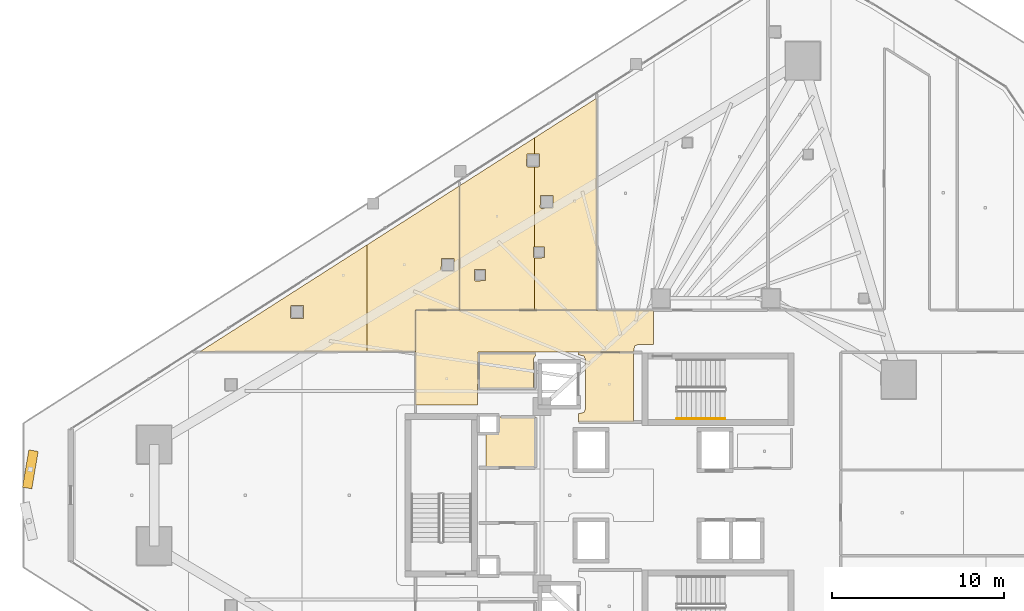
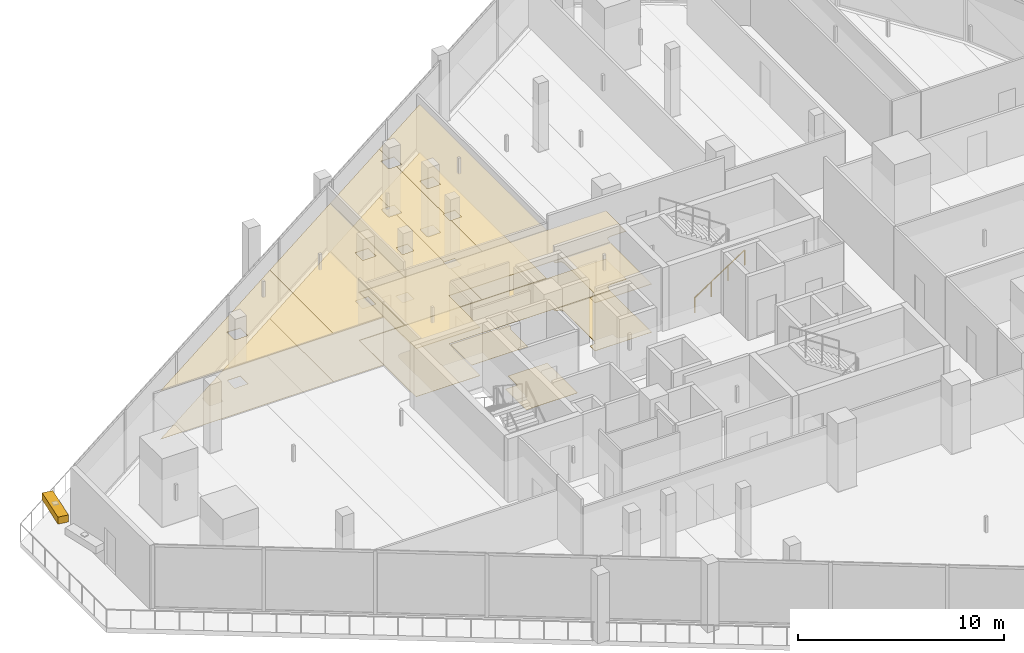
# One storey, part 40 of 42: 14 coverings, 1 railing, 1 shading device.
"""IFC4 building model written with IfcOpenShell, lengths in metres."""

from ifc_helpers import new_model, si_unit, direction, frame, origin, origin_2d, place, context, subcontext, project, spatial, polyline, rectangle, circle, outline, extrude, material, layer, layer_set, type_object, element, save


model = new_model("IFC4")

# Units and contexts
model_context = context("Model", 3, precision=1e-05, world=origin(), true_north=direction((0.0, 1.0)))
body_context = subcontext(model_context, "Body", "Model", "MODEL_VIEW")
ifc_project = project(units=[si_unit("LENGTHUNIT", "METRE"), si_unit("AREAUNIT", "SQUARE_METRE"), si_unit("VOLUMEUNIT", "CUBIC_METRE"), si_unit("PLANEANGLEUNIT", "RADIAN"), si_unit("MASSUNIT", "GRAM", prefix="KILO")], contexts=[model_context])

# Site, building, storey
site_placement = place(None, origin())
site = spatial("IfcSite", under=ifc_project, at=site_placement, CompositionType="ELEMENT")
building_placement = place(site_placement, origin())
building = spatial("IfcBuilding", under=site, at=building_placement, Name="Qorvath Tower", CompositionType="ELEMENT")
storey_placement = place(building_placement, frame((0.0, 0.0, 121.949951171875)))
storey = spatial("IfcBuildingStorey", under=building, at=storey_placement, Name="L27", CompositionType="ELEMENT", Elevation=121.949951171875)

# Coverings
ifc_material_1 = material(Name="Acoustic mineral fibre ceiling tile", Category="gypsum")
ifc_layer_1 = layer(ifc_material_1, 0.030029296875)
ifc_layer_set_1 = layer_set([ifc_layer_1], Name="COV-CEIL")
covering_type_1 = type_object("IfcCoveringType", Name="COV-CEIL", PredefinedType="CEILING", material=ifc_layer_set_1)
covering_1_placement = place(storey_placement, frame((0.0, 0.0, 2.85009765625)))
element("IfcCovering", 1, at=covering_1_placement, inside=storey, type_object=covering_type_1, Name="L27 Suspended Acoustic Ceiling 001", PredefinedType="CEILING", context=body_context, shape_type="SweptSolid", body=[
    extrude(outline(polyline([(-25.18994140625, 4.2548828125), (-25.18994140625, 8.294921875), (-28.375, 8.294921875), (-28.375, 8.159912109375), (-28.063232421875, 8.086669921875), (-27.989990234375, 7.909912109375), (-27.989990234375, 4.989990234375), (-28.063232421875, 4.813232421875), (-28.375, 4.739990234375), (-28.375, 4.2548828125), (-25.18994140625, 4.2548828125)])), origin(), (0.0, 0.0, 1.0), 0.030029296875),
])
covering_2_placement = place(storey_placement, frame((0.0, 0.0, 2.85009765625)))
element("IfcCovering", 2, at=covering_2_placement, inside=storey, type_object=covering_type_1, Name="L27 Suspended Acoustic Ceiling 009", PredefinedType="CEILING", context=body_context, shape_type="SweptSolid", body=[
    extrude(outline(polyline([(-24.02001953125, 8.75), (-24.02001953125, 10.745849609375), (-37.844970703125, 10.7451171875), (-37.844970703125, 5.239990234375), (-34.2509765625, 5.239990234375), (-34.219970703125, 8.324951171875), (-25.18994140625, 8.324951171875), (-25.11669921875, 8.6767578125), (-24.93994140625, 8.75), (-24.02001953125, 8.75)])), origin(), (0.0, 0.0, 1.0), 0.030029296875),
])
covering_3_placement = place(storey_placement, frame((0.0, 0.0, 2.85009765625)))
element("IfcCovering", 3, at=covering_3_placement, inside=storey, type_object=covering_type_1, Name="L27 Suspended Acoustic Ceiling 011", PredefinedType="CEILING", context=body_context, shape_type="SweptSolid", body=[
    extrude(outline(polyline([(-40.68505859375, 8.3515625), (-40.68505859375, 14.541748046875), (-50.389404296875, 8.339599609375), (-40.68505859375, 8.3515625)]), holes=[polyline([(-45.121337890625, 10.327392578125), (-45.103759765625, 11.019775390625), (-44.368896484375, 11.019775390625), (-44.368896484375, 10.284912109375), (-45.061279296875, 10.267333984375), (-45.121337890625, 10.327392578125)])]), origin(), (0.0, 0.0, 1.0), 0.030029296875),
])
covering_4_placement = place(storey_placement, frame((0.0, 0.0, 2.85009765625)))
element("IfcCovering", 4, at=covering_4_placement, inside=storey, type_object=covering_type_1, Name="L27 Suspended Acoustic Ceiling 012", PredefinedType="CEILING", context=body_context, shape_type="SweptSolid", body=[
    extrude(outline(polyline([(-35.303955078125, 17.98095703125), (-40.68505859375, 14.541748046875), (-40.68505859375, 8.3515625), (-37.863037109375, 8.35498046875), (-37.861572265625, 10.761474609375), (-35.303955078125, 10.762939453125), (-35.303955078125, 17.98095703125)]), holes=[polyline([(-36.36572265625, 13.055908203125), (-36.34814453125, 13.748291015625), (-35.61328125, 13.748291015625), (-35.61328125, 13.013427734375), (-36.3056640625, 12.995849609375), (-36.36572265625, 13.055908203125)])]), origin(), (0.0, 0.0, 1.0), 0.030029296875),
])
covering_5_placement = place(storey_placement, frame((0.0, 0.0, 2.85009765625)))
element("IfcCovering", 5, at=covering_5_placement, inside=storey, type_object=covering_type_1, Name="L27 Suspended Acoustic Ceiling 013", PredefinedType="CEILING", context=body_context, shape_type="SweptSolid", body=[
    extrude(outline(polyline([(-35.285888671875, 10.762939453125), (-30.950927734375, 10.762939453125), (-30.950927734375, 13.789306640625), (-31.01220703125, 13.849365234375), (-30.99462890625, 14.441650390625), (-30.950927734375, 14.441650390625), (-30.950927734375, 19.085205078125), (-31.341064453125, 19.075439453125), (-31.401123046875, 19.135498046875), (-31.383544921875, 19.827880859375), (-30.950927734375, 19.827880859375), (-30.950927734375, 20.762939453125), (-35.285888671875, 17.992431640625), (-35.285888671875, 10.762939453125)]), holes=[polyline([(-34.439208984375, 12.517578125), (-34.421630859375, 13.10986328125), (-33.786865234375, 13.10986328125), (-33.786865234375, 12.47509765625), (-34.379150390625, 12.45751953125), (-34.439208984375, 12.517578125)])]), origin(), (0.0, 0.0, 1.0), 0.030029296875),
])
covering_6_placement = place(storey_placement, frame((0.0, 0.0, 2.85009765625)))
element("IfcCovering", 6, at=covering_6_placement, inside=storey, type_object=covering_type_1, Name="L27 Suspended Acoustic Ceiling 014", PredefinedType="CEILING", context=body_context, shape_type="SweptSolid", body=[
    extrude(outline(polyline([(-30.950927734375, 20.762939453125), (-30.950927734375, 19.827880859375), (-30.648681640625, 19.827880859375), (-30.648681640625, 19.093017578125), (-30.950927734375, 19.085205078125), (-30.950927734375, 14.441650390625), (-30.35986328125, 14.441650390625), (-30.35986328125, 13.806884765625), (-30.950927734375, 13.789306640625), (-30.950927734375, 10.762939453125), (-27.327880859375, 10.762939453125), (-27.327880859375, 23.07861328125), (-30.950927734375, 20.762939453125)]), holes=[polyline([(-30.60986328125, 16.734619140625), (-30.59228515625, 17.427001953125), (-29.857421875, 17.427001953125), (-29.857421875, 16.692138671875), (-30.5498046875, 16.674560546875), (-30.60986328125, 16.734619140625)])]), origin(), (0.0, 0.0, 1.0), 0.030029296875),
])
ifc_material_2 = material(Name="Low-VOC modular carpet tile", Category="textile")
ifc_layer_2 = layer(ifc_material_2, 0.014892578125)
ifc_layer_set_2 = layer_set([ifc_layer_2], Name="COV-FLOOR-CPT")
covering_type_2 = type_object("IfcCoveringType", Name="COV-FLOOR-CPT", PredefinedType="FLOORING", material=ifc_layer_set_2)
covering_7_placement = place(storey_placement, origin())
element("IfcCovering", 7, at=covering_7_placement, inside=storey, type_object=covering_type_2, Name="L27 Floor Finish 005", PredefinedType="FLOORING", context=body_context, shape_type="SweptSolid", body=[
    extrude(outline(polyline([(-33.760009765625, 3.636962890625), (-33.760009765625, 1.60498046875), (-30.885009765625, 1.60498046875), (-30.885009765625, 4.534912109375), (-33.0869140625, 4.534912109375), (-33.092041015625, 3.636962890625), (-33.760009765625, 3.636962890625)])), origin(), (0.0, 0.0, 1.0), 0.01513671875),
])
covering_8_placement = place(storey_placement, origin())
element("IfcCovering", 8, at=covering_8_placement, inside=storey, type_object=covering_type_2, Name="L27 Floor Finish 011", PredefinedType="FLOORING", context=body_context, shape_type="SweptSolid", body=[
    extrude(outline(polyline([(-40.68505859375, 8.3515625), (-40.68505859375, 14.541748046875), (-50.389404296875, 8.339599609375), (-40.68505859375, 8.3515625)]), holes=[polyline([(-45.121337890625, 10.327392578125), (-45.103759765625, 11.019775390625), (-44.368896484375, 11.019775390625), (-44.368896484375, 10.284912109375), (-45.061279296875, 10.267333984375), (-45.121337890625, 10.327392578125)])]), origin(), (0.0, 0.0, 1.0), 0.01513671875),
])
covering_9_placement = place(storey_placement, origin())
element("IfcCovering", 9, at=covering_9_placement, inside=storey, type_object=covering_type_2, Name="L27 Floor Finish 012", PredefinedType="FLOORING", context=body_context, shape_type="SweptSolid", body=[
    extrude(outline(polyline([(-35.303955078125, 17.98095703125), (-40.68505859375, 14.541748046875), (-40.68505859375, 8.3515625), (-37.863037109375, 8.35498046875), (-37.861572265625, 10.761474609375), (-35.303955078125, 10.762939453125), (-35.303955078125, 17.98095703125)]), holes=[polyline([(-36.36572265625, 13.055908203125), (-36.34814453125, 13.748291015625), (-35.61328125, 13.748291015625), (-35.61328125, 13.013427734375), (-36.3056640625, 12.995849609375), (-36.36572265625, 13.055908203125)])]), origin(), (0.0, 0.0, 1.0), 0.01513671875),
])
covering_10_placement = place(storey_placement, origin())
element("IfcCovering", 10, at=covering_10_placement, inside=storey, type_object=covering_type_2, Name="L27 Floor Finish 013", PredefinedType="FLOORING", context=body_context, shape_type="SweptSolid", body=[
    extrude(outline(polyline([(-35.285888671875, 10.762939453125), (-30.950927734375, 10.762939453125), (-30.950927734375, 13.789306640625), (-31.01220703125, 13.849365234375), (-30.99462890625, 14.441650390625), (-30.950927734375, 14.441650390625), (-30.950927734375, 19.085205078125), (-31.341064453125, 19.075439453125), (-31.401123046875, 19.135498046875), (-31.383544921875, 19.827880859375), (-30.950927734375, 19.827880859375), (-30.950927734375, 20.762939453125), (-35.285888671875, 17.992431640625), (-35.285888671875, 10.762939453125)]), holes=[polyline([(-34.439208984375, 12.517578125), (-34.421630859375, 13.10986328125), (-33.786865234375, 13.10986328125), (-33.786865234375, 12.47509765625), (-34.379150390625, 12.45751953125), (-34.439208984375, 12.517578125)])]), origin(), (0.0, 0.0, 1.0), 0.01513671875),
])
covering_11_placement = place(storey_placement, origin())
element("IfcCovering", 11, at=covering_11_placement, inside=storey, type_object=covering_type_2, Name="L27 Floor Finish 014", PredefinedType="FLOORING", context=body_context, shape_type="SweptSolid", body=[
    extrude(outline(polyline([(-30.950927734375, 20.762939453125), (-30.950927734375, 19.827880859375), (-30.648681640625, 19.827880859375), (-30.648681640625, 19.093017578125), (-30.950927734375, 19.085205078125), (-30.950927734375, 14.441650390625), (-30.35986328125, 14.441650390625), (-30.35986328125, 13.806884765625), (-30.950927734375, 13.789306640625), (-30.950927734375, 10.762939453125), (-27.327880859375, 10.762939453125), (-27.327880859375, 23.07861328125), (-30.950927734375, 20.762939453125)]), holes=[polyline([(-30.60986328125, 16.734619140625), (-30.59228515625, 17.427001953125), (-29.857421875, 17.427001953125), (-29.857421875, 16.692138671875), (-30.5498046875, 16.674560546875), (-30.60986328125, 16.734619140625)])]), origin(), (0.0, 0.0, 1.0), 0.01513671875),
])
ifc_material_3 = material(Name="Polished epoxy terrazzo flooring", Category="concrete")
ifc_layer_3 = layer(ifc_material_3, 0.02001953125)
ifc_layer_set_3 = layer_set([ifc_layer_3], Name="COV-FLOOR-TRZ")
covering_type_3 = type_object("IfcCoveringType", Name="COV-FLOOR-TRZ", PredefinedType="FLOORING", material=ifc_layer_set_3)
covering_12_placement = place(storey_placement, origin())
element("IfcCovering", 12, at=covering_12_placement, inside=storey, type_object=covering_type_3, Name="L27 Floor Finish 001", PredefinedType="FLOORING", context=body_context, shape_type="SweptSolid", body=[
    extrude(outline(polyline([(-25.18994140625, 4.2548828125), (-25.18994140625, 8.294921875), (-28.375, 8.294921875), (-28.375, 8.159912109375), (-28.063232421875, 8.086669921875), (-27.989990234375, 7.909912109375), (-27.989990234375, 4.989990234375), (-28.063232421875, 4.813232421875), (-28.375, 4.739990234375), (-28.375, 4.2548828125), (-25.18994140625, 4.2548828125)])), origin(), (0.0, 0.0, 1.0), 0.01513671875),
])
covering_13_placement = place(storey_placement, origin())
element("IfcCovering", 13, at=covering_13_placement, inside=storey, type_object=covering_type_3, Name="L27 Floor Finish 004", PredefinedType="FLOORING", context=body_context, shape_type="SweptSolid", body=[
    extrude(outline(polyline([(-31.010009765625, 6.205078125), (-31.010009765625, 7.909912109375), (-30.885009765625, 8.108154296875), (-30.885009765625, 8.2451171875), (-34.175048828125, 8.2451171875), (-34.175048828125, 6.205078125), (-31.010009765625, 6.205078125)])), origin(), (0.0, 0.0, 1.0), 0.01513671875),
])
covering_14_placement = place(storey_placement, origin())
element("IfcCovering", 14, at=covering_14_placement, inside=storey, type_object=covering_type_3, Name="L27 Floor Finish 009", PredefinedType="FLOORING", context=body_context, shape_type="SweptSolid", body=[
    extrude(outline(polyline([(-24.02001953125, 8.75), (-24.02001953125, 10.745849609375), (-37.844970703125, 10.7451171875), (-37.844970703125, 5.239990234375), (-34.2509765625, 5.239990234375), (-34.219970703125, 8.324951171875), (-25.18994140625, 8.324951171875), (-25.11669921875, 8.6767578125), (-24.93994140625, 8.75), (-24.02001953125, 8.75)])), origin(), (0.0, 0.0, 1.0), 0.01513671875),
])

# Railing
ifc_material_4 = material(Name="Brushed stainless steel AISI 304", Category="steel")
railing_type = type_object("IfcRailingType", Name="RL-STR-HND", PredefinedType="HANDRAIL", material=ifc_material_4)
railing_placement = place(storey_placement, frame((-22.669921875, 4.449951171875, 0.18408203125)))
element("IfcRailing", 15, at=railing_placement, inside=storey, type_object=railing_type, Name="L27 TS1 stair handrail 1", PredefinedType="HANDRAIL", context=body_context, shape_type="SweptSolid", body=[
    extrude(circle(Radius=0.02392578125, at=origin_2d()), frame((0.0, 0.0, 0.8759765625), z_axis=(0.835542071712, 0.0, 0.549426470421), x_axis=(0.0, 1.0, 0.0)), (0.0, 0.0, 1.0), 3.350830078125),
    extrude(circle(Radius=0.02099609375, at=origin_2d()), origin(), (0.0, 0.0, 1.0), 0.851806640625),
    extrude(circle(Radius=0.02099609375, at=origin_2d()), frame((0.933349609375, 0.0, 0.61376953125)), (0.0, 0.0, 1.0), 0.851806640625),
    extrude(circle(Radius=0.02099609375, at=origin_2d()), frame((1.866455078125, 0.0, 1.227294921875)), (0.0, 0.0, 1.0), 0.851806640625),
    extrude(circle(Radius=0.02099609375, at=origin_2d()), frame((2.7998046875, 0.0, 1.841064453125)), (0.0, 0.0, 1.0), 0.851806640625),
])

# Shading device
ifc_material_5 = material(Name="Anodised bronze-champagne aluminium", Category="aluminium")
shading_device_type = type_object("IfcShadingDeviceType", Name="SD-LOUVRE", PredefinedType="JALOUSIE", material=ifc_material_5)
shading_device_placement = place(storey_placement, frame((-60.2392578125, 1.505615234375, 3.35009765625), z_axis=(0.0, 0.0, 1.0), x_axis=(-0.167371026267, -0.985893979881, 0.0)))
element("IfcShadingDevice", 16, at=shading_device_placement, inside=storey, type_object=shading_device_type, Name="Sinusoidal Wave Louvre Blade L27-01", PredefinedType="NOTDEFINED", context=body_context, shape_type="SweptSolid", body=[
    extrude(rectangle(XDim=2.199951171875, YDim=0.550048828125, at=origin_2d()), origin(), (0.0, 0.0, 1.0), 0.419921875),
])

save(model, "model.ifc")
